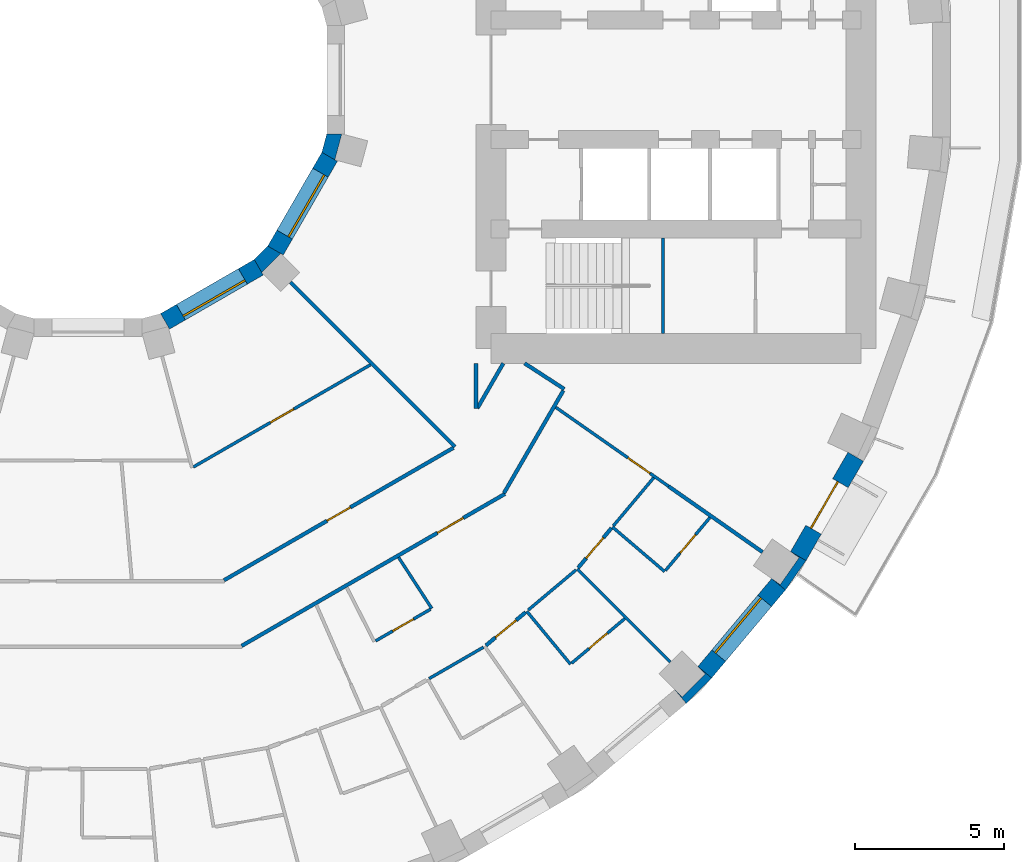
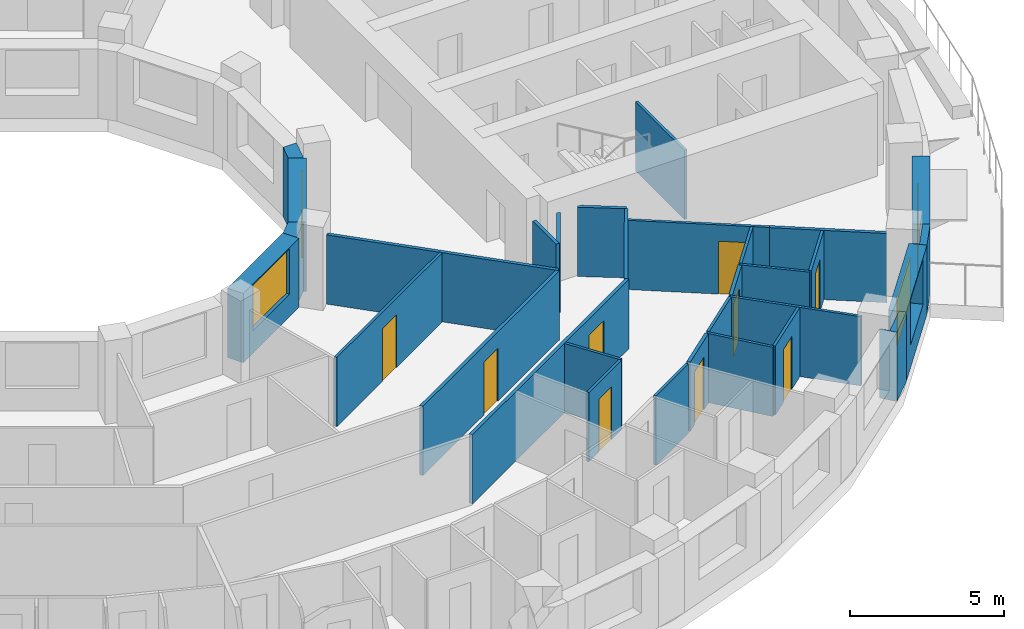
# One storey, part 6 of 14: 31 walls, 10 doors, 3 windows, 13 openings.
"""IFC4 building model written with IfcOpenShell, lengths in metres."""

from ifc_helpers import new_model, si_unit, direction, frame, frame_2d, origin, place, context, subcontext, project, spatial, polyline, rectangle, outline, extrude, material, layer, layer_set, type_object, element, fill, save


model = new_model("IFC4")

# Units and contexts
model_context = context("Model", 3, precision=1e-05, world=origin(), true_north=direction((0.0, 1.0)))
body_context = subcontext(model_context, "Body", "Model", "MODEL_VIEW")
ifc_project = project(units=[si_unit("LENGTHUNIT", "METRE"), si_unit("AREAUNIT", "SQUARE_METRE"), si_unit("VOLUMEUNIT", "CUBIC_METRE"), si_unit("PLANEANGLEUNIT", "RADIAN"), si_unit("MASSUNIT", "GRAM", prefix="KILO")], contexts=[model_context])

# Site, building, storey
site_placement = place(None, origin())
site = spatial("IfcSite", under=ifc_project, at=site_placement, CompositionType="ELEMENT")
building_placement = place(site_placement, origin())
building = spatial("IfcBuilding", under=site, at=building_placement, Name="Saqina Gate Tower", CompositionType="ELEMENT")
storey_placement = place(building_placement, frame((0.0, 0.0, 49.39990234375)))
storey = spatial("IfcBuildingStorey", under=building, at=storey_placement, Name="L13", CompositionType="ELEMENT", Elevation=49.39990234375)

# Walls
ifc_material_1 = material(Name="Brick masonry (red)", Category="masonry")
wall_type_1 = type_object("IfcWallType", Name="BRICK PIER COPING RED", PredefinedType="SOLIDWALL", material=ifc_material_1)
wall_1_placement = place(storey_placement, origin())
element("IfcWall", 1, at=wall_1_placement, inside=storey, type_object=wall_type_1, Name="Pier cap L13 column 32", PredefinedType="SOLIDWALL", context=body_context, shape_type="SweptSolid", body=[
    extrude(outline(polyline([(20.894775390625, -20.04296875), (20.43505859375, -19.6572265625), (20.682861328125, -19.905029296875), (19.905029296875, -20.682861328125), (19.6572265625, -20.43505859375), (20.04296875, -20.894775390625), (20.894775390625, -20.04296875)])), origin(), (0.0, 0.0, 1.0), 2.75),
])
wall_2_placement = place(storey_placement, origin())
element("IfcWall", 2, at=wall_2_placement, inside=storey, type_object=wall_type_1, Name="Pier cap L13 column 33", PredefinedType="SOLIDWALL", context=body_context, shape_type="SweptSolid", body=[
    extrude(outline(polyline([(23.36669921875, -17.096923828125), (24.0576171875, -16.110107421875), (23.5380859375, -15.81005859375), (23.8251953125, -16.010986328125), (23.194091796875, -16.912109375), (22.9072265625, -16.711181640625), (23.36669921875, -17.096923828125)])), origin(), (0.0, 0.0, 1.0), 2.75),
])

# Wall, opening, window
ifc_material_2 = material(Name="Brick masonry (red)", Category="masonry")
ifc_layer_1 = layer(ifc_material_2, 0.60009765625)
ifc_layer_set_1 = layer_set([ifc_layer_1], Name="FW-BRICK-RED")
wall_type_2 = type_object("IfcWallType", Name="FW-BRICK-RED", PredefinedType="SOLIDWALL", material=ifc_layer_set_1)
wall_3_placement = place(storey_placement, frame((20.664794921875, -19.85009765625, 0.0), z_axis=(0.0, 0.0, 1.0), x_axis=(0.642809392687, 0.766026164483, 0.0)))
wall_3 = element("IfcWall", 3, at=wall_3_placement, inside=storey, type_object=wall_type_2, Name="Facade wall L13 facet 32", PredefinedType="SOLIDWALL", context=body_context, shape_type="SweptSolid", body=[
    extrude(rectangle(XDim=3.845947265625, YDim=0.60009765625, at=frame_2d((1.9228515625, 0.0))), origin(), (0.0, 0.0, 1.0), 2.75),
])
opening_1_placement = place(wall_3_placement, frame((0.722900390625, 0.0, 0.89990234375)))
opening_1 = element("IfcOpeningElement", 4, at=opening_1_placement, cuts=wall_3, Name="Opening G03-W25", PredefinedType="OPENING", context=body_context, shape_type="SweptSolid", body=[
    extrude(rectangle(XDim=2.39990234375, YDim=1.800048828125, at=frame_2d((1.199951171875, 0.89990234375))), frame((0.0, 0.31201171875, 0.0), z_axis=(0.0, -1.0, 0.0), x_axis=(1.0, 0.0, 0.0)), (0.0, 0.0, 1.0), 0.6240234375),
])
ifc_material_3 = material(Name="Aluminium glazing", Category="aluminium")
window_type_1 = type_object("IfcWindowType", Name="WN-A", PartitioningType="SINGLE_PANEL", PredefinedType="WINDOW", material=ifc_material_3)
window_1_placement = place(opening_1_placement, origin())
window_1 = element("IfcWindow", 5, at=window_1_placement, inside=storey, type_object=window_type_1, Name="Window L13 facet 32", OverallHeight=1.800048828125, OverallWidth=2.39990234375, PartitioningType="SINGLE_PANEL", PredefinedType="WINDOW", context=body_context, shape_type="SweptSolid", body=[
    extrude(rectangle(XDim=2.39990234375, YDim=1.800048828125, at=frame_2d((1.199951171875, 0.89990234375))), frame((0.0, 0.179931640625, 0.0), z_axis=(0.0, -1.0, 0.0), x_axis=(1.0, 0.0, 0.0)), (0.0, 0.0, 1.0), 0.06005859375),
])
fill(opening_1, window_1)

# Wall, opening, door
wall_4_placement = place(storey_placement, frame((23.7978515625, -15.960205078125, 0.0), z_axis=(0.0, 0.0, 1.0), x_axis=(0.499989888488, 0.86603124159, 0.0)))
wall_4 = element("IfcWall", 6, at=wall_4_placement, inside=storey, type_object=wall_type_2, Name="Facade wall L13 facet 33", PredefinedType="SOLIDWALL", context=body_context, shape_type="SweptSolid", body=[
    extrude(rectangle(XDim=3.845703125, YDim=0.60009765625, at=frame_2d((1.9228515625, 0.0))), origin(), (0.0, 0.0, 1.0), 2.75),
])
opening_2_placement = place(wall_4_placement, frame((1.02294921875, 0.0, 0.0)))
opening_2 = element("IfcOpeningElement", 7, at=opening_2_placement, cuts=wall_4, Name="Opening G03-D80", PredefinedType="OPENING", context=body_context, shape_type="SweptSolid", body=[
    extrude(rectangle(XDim=1.800048828125, YDim=2.39990234375, at=frame_2d((0.89990234375, 1.199951171875))), frame((0.0, 0.31201171875, 0.0), z_axis=(0.0, -1.0, 0.0), x_axis=(1.0, 0.0, 0.0)), (0.0, 0.0, 1.0), 0.6240234375),
])
ifc_material_4 = material(Name="Aluminium glazing", Category="aluminium")
door_type_1 = type_object("IfcDoorType", Name="GD-A", OperationType="DOUBLE_DOOR_SINGLE_SWING", PredefinedType="DOOR", material=ifc_material_4)
door_1_placement = place(opening_2_placement, frame((1.800048828125, 0.0, 0.0), z_axis=(0.0, 0.0, 1.0), x_axis=(-1.0, 0.0, 0.0)))
door_1 = element("IfcDoor", 8, at=door_1_placement, inside=storey, type_object=door_type_1, Name="Terrace door L13 facet 33", OperationType="DOUBLE_DOOR_SINGLE_SWING", OverallHeight=2.39990234375, OverallWidth=1.800048828125, PredefinedType="DOOR", context=body_context, shape_type="SweptSolid", body=[
    extrude(rectangle(XDim=1.800048828125, YDim=2.39990234375, at=frame_2d((0.89990234375, 1.199951171875))), frame((0.0, -0.0751953125, 0.0), z_axis=(0.0, -1.0, 0.0), x_axis=(1.0, 0.0, 0.0)), (0.0, 0.0, 1.0), 0.050048828125),
])
fill(opening_2, door_1)

# Wall, opening, window
ifc_material_5 = material(Name="Glazed ceramic tile", Category="ceramic")
ifc_layer_2 = layer(ifc_material_5, 0.60009765625)
ifc_layer_set_2 = layer_set([ifc_layer_2], Name="IW-TILE")
wall_type_3 = type_object("IfcWallType", Name="IW-TILE", PredefinedType="SOLIDWALL", material=ifc_layer_set_2)
wall_5_placement = place(storey_placement, frame((2.580322265625, -8.09423828125, 0.0), z_axis=(0.0, 0.0, 1.0), x_axis=(0.866029693906, 0.499992569217, 0.0)))
wall_5 = element("IfcWall", 9, at=wall_5_placement, inside=storey, type_object=wall_type_3, Name="Well wall L13 facet 10", PredefinedType="SOLIDWALL", context=body_context, shape_type="SweptSolid", body=[
    extrude(rectangle(XDim=3.625, YDim=0.60009765625, at=frame_2d((1.8125, 0.0))), origin(), (0.0, 0.0, 1.0), 2.75),
])
opening_3_placement = place(wall_5_placement, frame((0.612548828125, 0.0, 0.89990234375)))
opening_3 = element("IfcOpeningElement", 10, at=opening_3_placement, cuts=wall_5, Name="Opening G03-W35", PredefinedType="OPENING", context=body_context, shape_type="SweptSolid", body=[
    extrude(rectangle(XDim=2.39990234375, YDim=1.800048828125, at=frame_2d((1.199951171875, 0.89990234375))), frame((0.0, 0.31201171875, 0.0), z_axis=(0.0, -1.0, 0.0), x_axis=(1.0, 0.0, 0.0)), (0.0, 0.0, 1.0), 0.6240234375),
])
ifc_material_6 = material(Name="Aluminium glazing", Category="aluminium")
window_type_2 = type_object("IfcWindowType", Name="WN-W", PartitioningType="SINGLE_PANEL", PredefinedType="WINDOW", material=ifc_material_6)
window_2_placement = place(opening_3_placement, origin())
window_2 = element("IfcWindow", 11, at=window_2_placement, inside=storey, type_object=window_type_2, Name="Well window L13 facet 10", OverallHeight=1.800048828125, OverallWidth=2.39990234375, PartitioningType="SINGLE_PANEL", PredefinedType="WINDOW", context=body_context, shape_type="SweptSolid", body=[
    extrude(rectangle(XDim=2.39990234375, YDim=1.800048828125, at=frame_2d((1.199951171875, 0.89990234375))), frame((0.0, -0.119873046875, 0.0), z_axis=(0.0, -1.0, 0.0), x_axis=(1.0, 0.0, 0.0)), (0.0, 0.0, 1.0), 0.06005859375),
])
fill(opening_3, window_2)

wall_6_placement = place(storey_placement, frame((6.28173828125, -5.7197265625, 0.0), z_axis=(0.0, 0.0, 1.0), x_axis=(0.499992569217, 0.866029693906, 0.0)))
wall_6 = element("IfcWall", 12, at=wall_6_placement, inside=storey, type_object=wall_type_3, Name="Well wall L13 facet 11", PredefinedType="SOLIDWALL", context=body_context, shape_type="SweptSolid", body=[
    extrude(rectangle(XDim=3.625, YDim=0.60009765625, at=frame_2d((1.8125, 0.0))), origin(), (0.0, 0.0, 1.0), 2.75),
])
opening_4_placement = place(wall_6_placement, frame((0.612548828125, 0.0, 0.89990234375)))
opening_4 = element("IfcOpeningElement", 13, at=opening_4_placement, cuts=wall_6, Name="Opening G03-W36", PredefinedType="OPENING", context=body_context, shape_type="SweptSolid", body=[
    extrude(rectangle(XDim=2.39990234375, YDim=1.800048828125, at=frame_2d((1.199951171875, 0.89990234375))), frame((0.0, 0.31201171875, 0.0), z_axis=(0.0, -1.0, 0.0), x_axis=(1.0, 0.0, 0.0)), (0.0, 0.0, 1.0), 0.6240234375),
])
window_3_placement = place(opening_4_placement, origin())
window_3 = element("IfcWindow", 14, at=window_3_placement, inside=storey, type_object=window_type_2, Name="Well window L13 facet 11", OverallHeight=1.800048828125, OverallWidth=2.39990234375, PartitioningType="SINGLE_PANEL", PredefinedType="WINDOW", context=body_context, shape_type="SweptSolid", body=[
    extrude(rectangle(XDim=2.39990234375, YDim=1.800048828125, at=frame_2d((1.199951171875, 0.89990234375))), frame((0.0, -0.119873046875, 0.0), z_axis=(0.0, -1.0, 0.0), x_axis=(1.0, 0.0, 0.0)), (0.0, 0.0, 1.0), 0.06005859375),
])
fill(opening_4, window_3)

# Walls
ifc_material_7 = material(Name="Gypsum board on steel studs, 100 mm", Category="steel")
ifc_layer_3 = layer(ifc_material_7, 0.10009765625)
ifc_layer_set_3 = layer_set([ifc_layer_3], Name="PARTITION 100")
wall_type_4 = type_object("IfcWallType", Name="PARTITION 100", PredefinedType="PARTITIONING", material=ifc_layer_set_3)
wall_7_placement = place(storey_placement, frame((10.406005859375, -16.00341796875, 0.0), z_axis=(0.0, 0.0, 1.0), x_axis=(0.545026202076, -0.838419011623, 0.0)))
element("IfcWall", 15, at=wall_7_placement, inside=storey, type_object=wall_type_4, Name="PARTITION PW3-23", PredefinedType="PARTITIONING", context=body_context, shape_type="SweptSolid", body=[
    extrude(rectangle(XDim=2.040283203125, YDim=0.10009765625, at=frame_2d((1.02001953125, 0.0))), origin(), (0.0, 0.0, 1.0), 2.75),
])
wall_8_placement = place(storey_placement, frame((14.699951171875, -17.806884765625, 0.0), z_axis=(0.0, 0.0, 1.0), x_axis=(0.636700344293, -0.771111322428, 0.0)))
element("IfcWall", 16, at=wall_8_placement, inside=storey, type_object=wall_type_4, Name="PARTITION PW3-27", PredefinedType="PARTITIONING", context=body_context, shape_type="SweptSolid", body=[
    extrude(rectangle(XDim=2.299560546875, YDim=0.10009765625, at=frame_2d((1.14990234375, 0.0))), origin(), (0.0, 0.0, 1.0), 2.75),
])
wall_9_placement = place(storey_placement, frame((16.388916015625, -16.388916015625, 0.0), z_axis=(0.0, 0.0, 1.0), x_axis=(0.707106781187, -0.707106781187, 0.0)))
element("IfcWall", 17, at=wall_9_placement, inside=storey, type_object=wall_type_4, Name="PARTITION PW3-34", PredefinedType="PARTITIONING", context=body_context, shape_type="SweptSolid", body=[
    extrude(rectangle(XDim=4.41259765625, YDim=0.10009765625, at=frame_2d((2.206298828125, 0.0))), origin(), (0.0, 0.0, 1.0), 2.75),
])
wall_10_placement = place(storey_placement, frame((17.569091796875, -14.98291015625, 0.0), z_axis=(0.0, 0.0, 1.0), x_axis=(0.760722977127, -0.649076691979, 0.0)))
element("IfcWall", 18, at=wall_10_placement, inside=storey, type_object=wall_type_4, Name="PARTITION PW3-37", PredefinedType="PARTITIONING", context=body_context, shape_type="SweptSolid", body=[
    extrude(rectangle(XDim=2.300537109375, YDim=0.10009765625, at=frame_2d((1.150390625, 0.0))), origin(), (0.0, 0.0, 1.0), 2.75),
])

# Wall, opening, door
wall_11_placement = place(storey_placement, frame((15.674560546875, -10.9755859375, 0.0), z_axis=(0.0, 0.0, 1.0), x_axis=(0.819202093006, -0.573504952737, 0.0)))
wall_11 = element("IfcWall", 19, at=wall_11_placement, inside=storey, type_object=wall_type_4, Name="PARTITION PW3-42", PredefinedType="PARTITIONING", context=body_context, shape_type="SweptSolid", body=[
    extrude(rectangle(XDim=4.614501953125, YDim=0.10009765625, at=frame_2d((2.30712890625, 0.0))), origin(), (0.0, 0.0, 1.0), 2.75),
])
opening_5_placement = place(wall_11_placement, frame((2.94921875, 0.0, 0.0)))
opening_5 = element("IfcOpeningElement", 20, at=opening_5_placement, cuts=wall_11, Name="Opening G03-D75", PredefinedType="OPENING", context=body_context, shape_type="SweptSolid", body=[
    extrude(rectangle(XDim=0.89990234375, YDim=2.10009765625, at=frame_2d((0.449951171875, 1.050048828125))), frame((0.0, 0.06201171875, 0.0), z_axis=(0.0, -1.0, 0.0), x_axis=(1.0, 0.0, 0.0)), (0.0, 0.0, 1.0), 0.1240234375),
])
ifc_material_8 = material(Name="Timber door leaf, 900 mm", Category="wood")
door_type_2 = type_object("IfcDoorType", Name="DOOR 900 TIMBER", OperationType="SINGLE_SWING_LEFT", PredefinedType="DOOR", material=ifc_material_8)
door_2_placement = place(opening_5_placement, origin())
door_2 = element("IfcDoor", 21, at=door_2_placement, inside=storey, type_object=door_type_2, Name="DOOR G03-D75", OperationType="SINGLE_SWING_RIGHT", OverallHeight=2.10009765625, OverallWidth=0.89990234375, PredefinedType="DOOR", context=body_context, shape_type="SweptSolid", body=[
    extrude(rectangle(XDim=0.89990234375, YDim=2.10009765625, at=frame_2d((0.449951171875, 1.050048828125))), frame((0.0, 0.02490234375, 0.0), z_axis=(0.0, -1.0, 0.0), x_axis=(1.0, 0.0, 0.0)), (0.0, 0.0, 1.0), 0.050048828125),
])
fill(opening_5, door_2)

# Wall
wall_12_placement = place(storey_placement, frame((11.42822265625, -20.06396484375, 0.0), z_axis=(0.0, 0.0, 1.0), x_axis=(0.865870655861, 0.50026793553, 0.0)))
element("IfcWall", 22, at=wall_12_placement, inside=storey, type_object=wall_type_4, Name="PARTITION PW3-80", PredefinedType="PARTITIONING", context=body_context, shape_type="SweptSolid", body=[
    extrude(rectangle(XDim=2.104736328125, YDim=0.10009765625, at=frame_2d((1.05224609375, 0.0))), origin(), (0.0, 0.0, 1.0), 2.75),
])

# Wall, opening, door
wall_13_placement = place(storey_placement, frame((9.63525390625, -18.801025390625, 0.0), z_axis=(0.0, 0.0, 1.0), x_axis=(0.866013304951, 0.500020955208, 0.0)))
wall_13 = element("IfcWall", 23, at=wall_13_placement, inside=storey, type_object=wall_type_4, Name="PARTITION PW3-81", PredefinedType="PARTITIONING", context=body_context, shape_type="SweptSolid", body=[
    extrude(rectangle(XDim=2.1240234375, YDim=0.10009765625, at=frame_2d((1.06201171875, 0.0))), origin(), (0.0, 0.0, 1.0), 2.75),
])
opening_6_placement = place(wall_13_placement, frame((0.662109375, 0.0, 0.0)))
opening_6 = element("IfcOpeningElement", 24, at=opening_6_placement, cuts=wall_13, Name="Opening G03-D68", PredefinedType="OPENING", context=body_context, shape_type="SweptSolid", body=[
    extrude(rectangle(XDim=0.800048828125, YDim=2.10009765625, at=frame_2d((0.39990234375, 1.050048828125))), frame((0.0, 0.06201171875, 0.0), z_axis=(0.0, -1.0, 0.0), x_axis=(1.0, 0.0, 0.0)), (0.0, 0.0, 1.0), 0.1240234375),
])
ifc_material_9 = material(Name="Timber door leaf, 800 mm", Category="wood")
door_type_3 = type_object("IfcDoorType", Name="DOOR 800 TIMBER", OperationType="SINGLE_SWING_LEFT", PredefinedType="DOOR", material=ifc_material_9)
door_3_placement = place(opening_6_placement, frame((0.800048828125, 0.0, 0.0), z_axis=(0.0, 0.0, 1.0), x_axis=(-1.0, 0.0, 0.0)))
door_3 = element("IfcDoor", 25, at=door_3_placement, inside=storey, type_object=door_type_3, Name="DOOR G03-D68", OperationType="SINGLE_SWING_LEFT", OverallHeight=2.10009765625, OverallWidth=0.800048828125, PredefinedType="DOOR", context=body_context, shape_type="SweptSolid", body=[
    extrude(rectangle(XDim=0.800048828125, YDim=2.10009765625, at=frame_2d((0.39990234375, 1.050048828125))), frame((0.0, 0.02490234375, 0.0), z_axis=(0.0, -1.0, 0.0), x_axis=(1.0, 0.0, 0.0)), (0.0, 0.0, 1.0), 0.050048828125),
])
fill(opening_6, door_3)

wall_14_placement = place(storey_placement, frame((3.5263671875, -12.97509765625, 0.0), z_axis=(0.0, 0.0, 1.0), x_axis=(0.866069342035, 0.499923888995, 0.0)))
wall_14 = element("IfcWall", 26, at=wall_14_placement, inside=storey, type_object=wall_type_4, Name="PARTITION PW3-82", PredefinedType="PARTITIONING", context=body_context, shape_type="SweptSolid", body=[
    extrude(rectangle(XDim=6.8544921875, YDim=0.10009765625, at=frame_2d((3.42724609375, 0.0))), origin(), (0.0, 0.0, 1.0), 2.75),
])
opening_7_placement = place(wall_14_placement, frame((2.9833984375, 0.0, 0.0)))
opening_7 = element("IfcOpeningElement", 27, at=opening_7_placement, cuts=wall_14, Name="Opening G03-D66", PredefinedType="OPENING", context=body_context, shape_type="SweptSolid", body=[
    extrude(rectangle(XDim=0.89990234375, YDim=2.10009765625, at=frame_2d((0.449951171875, 1.050048828125))), frame((0.0, 0.06201171875, 0.0), z_axis=(0.0, -1.0, 0.0), x_axis=(1.0, 0.0, 0.0)), (0.0, 0.0, 1.0), 0.1240234375),
])
door_4_placement = place(opening_7_placement, frame((0.89990234375, 0.0, 0.0), z_axis=(0.0, 0.0, 1.0), x_axis=(-1.0, 0.0, 0.0)))
door_4 = element("IfcDoor", 28, at=door_4_placement, inside=storey, type_object=door_type_2, Name="DOOR G03-D66", OperationType="SINGLE_SWING_LEFT", OverallHeight=2.10009765625, OverallWidth=0.89990234375, PredefinedType="DOOR", context=body_context, shape_type="SweptSolid", body=[
    extrude(rectangle(XDim=0.89990234375, YDim=2.10009765625, at=frame_2d((0.449951171875, 1.050048828125))), frame((0.0, 0.02490234375, 0.0), z_axis=(0.0, -1.0, 0.0), x_axis=(1.0, 0.0, 0.0)), (0.0, 0.0, 1.0), 0.050048828125),
])
fill(opening_7, door_4)

wall_15_placement = place(storey_placement, frame((16.202392578125, -19.5478515625, 0.0), z_axis=(0.0, 0.0, 1.0), x_axis=(0.766254925891, 0.642536682648, 0.0)))
wall_15 = element("IfcWall", 29, at=wall_15_placement, inside=storey, type_object=wall_type_4, Name="PARTITION PW3-92", PredefinedType="PARTITIONING", context=body_context, shape_type="SweptSolid", body=[
    extrude(rectangle(XDim=2.32470703125, YDim=0.10009765625, at=frame_2d((1.162353515625, 0.0))), origin(), (0.0, 0.0, 1.0), 2.75),
])
opening_8_placement = place(wall_15_placement, frame((0.762451171875, 0.0, 0.0)))
opening_8 = element("IfcOpeningElement", 30, at=opening_8_placement, cuts=wall_15, Name="Opening G03-D72", PredefinedType="OPENING", context=body_context, shape_type="SweptSolid", body=[
    extrude(rectangle(XDim=0.800048828125, YDim=2.10009765625, at=frame_2d((0.39990234375, 1.050048828125))), frame((0.0, 0.06201171875, 0.0), z_axis=(0.0, -1.0, 0.0), x_axis=(1.0, 0.0, 0.0)), (0.0, 0.0, 1.0), 0.1240234375),
])
door_5_placement = place(opening_8_placement, frame((0.800048828125, 0.0, 0.0), z_axis=(0.0, 0.0, 1.0), x_axis=(-1.0, 0.0, 0.0)))
door_5 = element("IfcDoor", 31, at=door_5_placement, inside=storey, type_object=door_type_3, Name="DOOR G03-D72", OperationType="SINGLE_SWING_LEFT", OverallHeight=2.10009765625, OverallWidth=0.800048828125, PredefinedType="DOOR", context=body_context, shape_type="SweptSolid", body=[
    extrude(rectangle(XDim=0.800048828125, YDim=2.10009765625, at=frame_2d((0.39990234375, 1.050048828125))), frame((0.0, 0.02490234375, 0.0), z_axis=(0.0, -1.0, 0.0), x_axis=(1.0, 0.0, 0.0)), (0.0, 0.0, 1.0), 0.050048828125),
])
fill(opening_8, door_5)

# Wall
wall_16_placement = place(storey_placement, frame((14.747802734375, -17.766845703125, 0.0), z_axis=(0.0, 0.0, 1.0), x_axis=(0.765854222204, 0.643014238048, 0.0)))
element("IfcWall", 32, at=wall_16_placement, inside=storey, type_object=wall_type_4, Name="PARTITION PW3-93", PredefinedType="PARTITIONING", context=body_context, shape_type="SweptSolid", body=[
    extrude(rectangle(XDim=2.0927734375, YDim=0.10009765625, at=frame_2d((1.04638671875, 0.0))), origin(), (0.0, 0.0, 1.0), 2.75),
])

# Wall, opening, door
wall_17_placement = place(storey_placement, frame((19.35107421875, -16.437744140625, 0.0), z_axis=(0.0, 0.0, 1.0), x_axis=(0.642780417595, 0.766050477943, 0.0)))
wall_17 = element("IfcWall", 33, at=wall_17_placement, inside=storey, type_object=wall_type_4, Name="PARTITION PW3-101", PredefinedType="PARTITIONING", context=body_context, shape_type="SweptSolid", body=[
    extrude(rectangle(XDim=2.309326171875, YDim=0.10009765625, at=frame_2d((1.15478515625, 0.0))), origin(), (0.0, 0.0, 1.0), 2.75),
])
opening_9_placement = place(wall_17_placement, frame((0.761962890625, 0.0, 0.0)))
opening_9 = element("IfcOpeningElement", 34, at=opening_9_placement, cuts=wall_17, Name="Opening G03-D74", PredefinedType="OPENING", context=body_context, shape_type="SweptSolid", body=[
    extrude(rectangle(XDim=0.800048828125, YDim=2.10009765625, at=frame_2d((0.39990234375, 1.050048828125))), frame((0.0, 0.06201171875, 0.0), z_axis=(0.0, -1.0, 0.0), x_axis=(1.0, 0.0, 0.0)), (0.0, 0.0, 1.0), 0.1240234375),
])
door_6_placement = place(opening_9_placement, frame((0.800048828125, 0.0, 0.0), z_axis=(0.0, 0.0, 1.0), x_axis=(-1.0, 0.0, 0.0)))
door_6 = element("IfcDoor", 35, at=door_6_placement, inside=storey, type_object=door_type_3, Name="DOOR G03-D74", OperationType="SINGLE_SWING_LEFT", OverallHeight=2.10009765625, OverallWidth=0.800048828125, PredefinedType="DOOR", context=body_context, shape_type="SweptSolid", body=[
    extrude(rectangle(XDim=0.800048828125, YDim=2.10009765625, at=frame_2d((0.39990234375, 1.050048828125))), frame((0.0, 0.02490234375, 0.0), z_axis=(0.0, -1.0, 0.0), x_axis=(1.0, 0.0, 0.0)), (0.0, 0.0, 1.0), 0.050048828125),
])
fill(opening_9, door_6)

# Walls
wall_18_placement = place(storey_placement, frame((17.60107421875, -14.944580078125, 0.0), z_axis=(0.0, 0.0, 1.0), x_axis=(0.642816551594, 0.766020157043, 0.0)))
element("IfcWall", 36, at=wall_18_placement, inside=storey, type_object=wall_type_4, Name="PARTITION PW3-102", PredefinedType="PARTITIONING", context=body_context, shape_type="SweptSolid", body=[
    extrude(rectangle(XDim=2.1044921875, YDim=0.10009765625, at=frame_2d((1.05224609375, 0.0))), origin(), (0.0, 0.0, 1.0), 2.75),
])
ifc_material_10 = material(Name="Gypsum board on steel studs, 125 mm, fire rated", Category="steel")
ifc_layer_4 = layer(ifc_material_10, 0.125)
ifc_layer_set_4 = layer_set([ifc_layer_4], Name="PARTITION EI 30 125")
wall_type_5 = type_object("IfcWallType", Name="PARTITION EI 30 125", PredefinedType="PARTITIONING", material=ifc_layer_set_4)
wall_19_placement = place(storey_placement, frame((6.78271484375, -6.78271484375, 0.0), z_axis=(0.0, 0.0, 1.0), x_axis=(0.707106781187, -0.707106781187, 0.0)))
element("IfcWall", 37, at=wall_19_placement, inside=storey, type_object=wall_type_5, Name="PARTITION PW1-07", PredefinedType="PARTITIONING", context=body_context, shape_type="SweptSolid", body=[
    extrude(rectangle(XDim=7.7998046875, YDim=0.125, at=frame_2d((3.89990234375, 0.0))), origin(), (0.0, 0.0, 1.0), 2.75),
])
wall_20_placement = place(storey_placement, frame((19.4541015625, -13.623291015625, 0.0), z_axis=(0.0, 0.0, 1.0), x_axis=(0.819318529686, -0.573338597091, 0.0)))
element("IfcWall", 38, at=wall_20_placement, inside=storey, type_object=wall_type_5, Name="PARTITION PW1-09", PredefinedType="PARTITIONING", context=body_context, shape_type="SweptSolid", body=[
    extrude(rectangle(XDim=3.840087890625, YDim=0.125, at=frame_2d((1.919921875, 0.0))), origin(), (0.0, 0.0, 1.0), 2.75),
])
wall_21_placement = place(storey_placement, frame((14.62890625, -9.5, 0.0), z_axis=(0.0, 0.0, 1.0), x_axis=(0.838795721465, -0.544446267002, 0.0)))
element("IfcWall", 39, at=wall_21_placement, inside=storey, type_object=wall_type_5, Name="PARTITION PW1-11", PredefinedType="PARTITIONING", context=body_context, shape_type="SweptSolid", body=[
    extrude(rectangle(XDim=1.583251953125, YDim=0.125, at=frame_2d((0.79150390625, 0.0))), origin(), (0.0, 0.0, 1.0), 2.75),
])

# Wall, opening, door
wall_22_placement = place(storey_placement, frame((5.14501953125, -18.96875, 0.0), z_axis=(0.0, 0.0, 1.0), x_axis=(0.866035198373, 0.499983034892, 0.0)))
wall_22 = element("IfcWall", 40, at=wall_22_placement, inside=storey, type_object=wall_type_5, Name="PARTITION PW1-36", PredefinedType="PARTITIONING", context=body_context, shape_type="SweptSolid", body=[
    extrude(rectangle(XDim=10.191650390625, YDim=0.125, at=frame_2d((5.095703125, 0.0))), origin(), (0.0, 0.0, 1.0), 2.75),
])
opening_10_placement = place(wall_22_placement, frame((7.577392578125, 0.0, 0.0)))
opening_10 = element("IfcOpeningElement", 41, at=opening_10_placement, cuts=wall_22, Name="Opening G03-D71", PredefinedType="OPENING", context=body_context, shape_type="SweptSolid", body=[
    extrude(rectangle(XDim=1.0, YDim=2.10009765625, at=frame_2d((0.5, 1.050048828125))), frame((0.0, 0.074462890625, 0.0), z_axis=(0.0, -1.0, 0.0), x_axis=(1.0, 0.0, 0.0)), (0.0, 0.0, 1.0), 0.14892578125),
])
ifc_material_11 = material(Name="Fire door leaf EI 30, 1000 mm")
door_type_4 = type_object("IfcDoorType", Name="DOOR 1000 EI 30", OperationType="SINGLE_SWING_LEFT", PredefinedType="DOOR", material=ifc_material_11)
door_7_placement = place(opening_10_placement, frame((1.0, 0.0, 0.0), z_axis=(0.0, 0.0, 1.0), x_axis=(-1.0, 0.0, 0.0)))
door_7 = element("IfcDoor", 42, at=door_7_placement, inside=storey, type_object=door_type_4, Name="DOOR G03-D71", OperationType="SINGLE_SWING_LEFT", OverallHeight=2.10009765625, OverallWidth=1.0, PredefinedType="DOOR", context=body_context, shape_type="SweptSolid", body=[
    extrude(rectangle(XDim=1.0, YDim=2.10009765625, at=frame_2d((0.5, 1.050048828125))), frame((0.0, 0.02490234375, 0.0), z_axis=(0.0, -1.0, 0.0), x_axis=(1.0, 0.0, 0.0)), (0.0, 0.0, 1.0), 0.050048828125),
])
fill(opening_10, door_7)

wall_23_placement = place(storey_placement, frame((4.55615234375, -16.768798828125, 0.0), z_axis=(0.0, 0.0, 1.0), x_axis=(0.865979941794, 0.500078734211, 0.0)))
wall_23 = element("IfcWall", 43, at=wall_23_placement, inside=storey, type_object=wall_type_5, Name="PARTITION PW1-37", PredefinedType="PARTITIONING", context=body_context, shape_type="SweptSolid", body=[
    extrude(rectangle(XDim=8.87744140625, YDim=0.125, at=frame_2d((4.438720703125, 0.0))), origin(), (0.0, 0.0, 1.0), 2.75),
])
opening_11_placement = place(wall_23_placement, frame((3.98876953125, 0.0, 0.0)))
opening_11 = element("IfcOpeningElement", 44, at=opening_11_placement, cuts=wall_23, Name="Opening G03-D67", PredefinedType="OPENING", context=body_context, shape_type="SweptSolid", body=[
    extrude(rectangle(XDim=0.89990234375, YDim=2.10009765625, at=frame_2d((0.449951171875, 1.050048828125))), frame((0.0, 0.074462890625, 0.0), z_axis=(0.0, -1.0, 0.0), x_axis=(1.0, 0.0, 0.0)), (0.0, 0.0, 1.0), 0.14892578125),
])
ifc_material_12 = material(Name="Fire door leaf EI 30, 900 mm")
door_type_5 = type_object("IfcDoorType", Name="DOOR 900 EI 30", OperationType="SINGLE_SWING_LEFT", PredefinedType="DOOR", material=ifc_material_12)
door_8_placement = place(opening_11_placement, origin())
door_8 = element("IfcDoor", 45, at=door_8_placement, inside=storey, type_object=door_type_5, Name="DOOR G03-D67", OperationType="SINGLE_SWING_RIGHT", OverallHeight=2.10009765625, OverallWidth=0.89990234375, PredefinedType="DOOR", context=body_context, shape_type="SweptSolid", body=[
    extrude(rectangle(XDim=0.89990234375, YDim=2.10009765625, at=frame_2d((0.449951171875, 1.050048828125))), frame((0.0, 0.02490234375, 0.0), z_axis=(0.0, -1.0, 0.0), x_axis=(1.0, 0.0, 0.0)), (0.0, 0.0, 1.0), 0.050048828125),
])
fill(opening_11, door_8)

wall_24_placement = place(storey_placement, frame((13.331787109375, -18.953369140625, 0.0), z_axis=(0.0, 0.0, 1.0), x_axis=(0.766881682313, 0.641788505143, 0.0)))
wall_24 = element("IfcWall", 46, at=wall_24_placement, inside=storey, type_object=wall_type_5, Name="PARTITION PW1-45", PredefinedType="PARTITIONING", context=body_context, shape_type="SweptSolid", body=[
    extrude(rectangle(XDim=1.735107421875, YDim=0.125, at=frame_2d((0.86767578125, 0.0))), origin(), (0.0, 0.0, 1.0), 2.75),
])
opening_12_placement = place(wall_24_placement, frame((0.41748046875, 0.0, 0.0)))
opening_12 = element("IfcOpeningElement", 47, at=opening_12_placement, cuts=wall_24, Name="Opening G03-D70", PredefinedType="OPENING", context=body_context, shape_type="SweptSolid", body=[
    extrude(rectangle(XDim=0.89990234375, YDim=2.10009765625, at=frame_2d((0.449951171875, 1.050048828125))), frame((0.0, 0.074462890625, 0.0), z_axis=(0.0, -1.0, 0.0), x_axis=(1.0, 0.0, 0.0)), (0.0, 0.0, 1.0), 0.14892578125),
])
door_9_placement = place(opening_12_placement, origin())
door_9 = element("IfcDoor", 48, at=door_9_placement, inside=storey, type_object=door_type_5, Name="DOOR G03-D70", OperationType="SINGLE_SWING_LEFT", OverallHeight=2.10009765625, OverallWidth=0.89990234375, PredefinedType="DOOR", context=body_context, shape_type="SweptSolid", body=[
    extrude(rectangle(XDim=0.89990234375, YDim=2.10009765625, at=frame_2d((0.449951171875, 1.050048828125))), frame((0.0, 0.02490234375, 0.0), z_axis=(0.0, -1.0, 0.0), x_axis=(1.0, 0.0, 0.0)), (0.0, 0.0, 1.0), 0.050048828125),
])
fill(opening_12, door_9)

wall_25_placement = place(storey_placement, frame((16.421142578125, -16.3505859375, 0.0), z_axis=(0.0, 0.0, 1.0), x_axis=(0.642878617967, 0.765968068891, 0.0)))
wall_25 = element("IfcWall", 49, at=wall_25_placement, inside=storey, type_object=wall_type_5, Name="PARTITION PW1-49", PredefinedType="PARTITIONING", context=body_context, shape_type="SweptSolid", body=[
    extrude(rectangle(XDim=1.735595703125, YDim=0.125, at=frame_2d((0.86767578125, 0.0))), origin(), (0.0, 0.0, 1.0), 2.75),
])
opening_13_placement = place(wall_25_placement, frame((0.417724609375, 0.0, 0.0)))
opening_13 = element("IfcOpeningElement", 50, at=opening_13_placement, cuts=wall_25, Name="Opening G03-D73", PredefinedType="OPENING", context=body_context, shape_type="SweptSolid", body=[
    extrude(rectangle(XDim=0.89990234375, YDim=2.10009765625, at=frame_2d((0.449951171875, 1.050048828125))), frame((0.0, 0.074462890625, 0.0), z_axis=(0.0, -1.0, 0.0), x_axis=(1.0, 0.0, 0.0)), (0.0, 0.0, 1.0), 0.14892578125),
])
door_10_placement = place(opening_13_placement, origin())
door_10 = element("IfcDoor", 51, at=door_10_placement, inside=storey, type_object=door_type_5, Name="DOOR G03-D73", OperationType="SINGLE_SWING_LEFT", OverallHeight=2.10009765625, OverallWidth=0.89990234375, PredefinedType="DOOR", context=body_context, shape_type="SweptSolid", body=[
    extrude(rectangle(XDim=0.89990234375, YDim=2.10009765625, at=frame_2d((0.449951171875, 1.050048828125))), frame((0.0, 0.02490234375, 0.0), z_axis=(0.0, -1.0, 0.0), x_axis=(1.0, 0.0, 0.0)), (0.0, 0.0, 1.0), 0.050048828125),
])
fill(opening_13, door_10)

# Walls
wall_26_placement = place(storey_placement, frame((13.933837890625, -13.85107421875, 0.0), z_axis=(0.0, 0.0, 1.0), x_axis=(0.501169568558, 0.865349099238, 0.0)))
element("IfcWall", 52, at=wall_26_placement, inside=storey, type_object=wall_type_5, Name="PARTITION PW1-51", PredefinedType="PARTITIONING", context=body_context, shape_type="SweptSolid", body=[
    extrude(rectangle(XDim=3.970703125, YDim=0.125, at=frame_2d((1.9853515625, 0.0))), origin(), (0.0, 0.0, 1.0), 2.75),
])
wall_27_placement = place(storey_placement, frame((13.044921875, -11.005126953125, 0.0), z_axis=(0.0, 0.0, 1.0), x_axis=(0.500066958712, 0.865986741702, 0.0)))
element("IfcWall", 53, at=wall_27_placement, inside=storey, type_object=wall_type_5, Name="PARTITION PW1-52", PredefinedType="PARTITIONING", context=body_context, shape_type="SweptSolid", body=[
    extrude(rectangle(XDim=1.738037109375, YDim=0.125, at=frame_2d((0.869140625, 0.0))), origin(), (0.0, 0.0, 1.0), 2.75),
])
wall_28_placement = place(storey_placement, frame((13.0, -11.0205078125, 0.0), z_axis=(0.0, 0.0, 1.0), x_axis=(0.0, 1.0, 0.0)))
element("IfcWall", 54, at=wall_28_placement, inside=storey, type_object=wall_type_5, Name="PARTITION PW1-56", PredefinedType="PARTITIONING", context=body_context, shape_type="SweptSolid", body=[
    extrude(rectangle(XDim=1.5205078125, YDim=0.125, at=frame_2d((0.76025390625, 0.0))), origin(), (0.0, 0.0, 1.0), 2.75),
])
ifc_material_13 = material(Name="Autoclaved aerated concrete block", Category="concrete")
ifc_layer_5 = layer(ifc_material_13, 0.10009765625)
ifc_layer_set_5 = layer_set([ifc_layer_5], Name="STAIR ENCLOSURE WALL")
wall_type_6 = type_object("IfcWallType", Name="STAIR ENCLOSURE WALL", PredefinedType="PARTITIONING", material=ifc_layer_set_5)
wall_29_placement = place(storey_placement, frame((19.27001953125, -8.5, 0.0), z_axis=(0.0, 0.0, 1.0), x_axis=(0.0, 1.0, 0.0)))
element("IfcWall", 55, at=wall_29_placement, inside=storey, type_object=wall_type_6, Name="L13-CP-E14", PredefinedType="PARTITIONING", context=body_context, shape_type="SweptSolid", body=[
    extrude(rectangle(XDim=3.199951171875, YDim=0.10009765625, at=frame_2d((1.60009765625, 0.0))), origin(), (0.0, 0.0, 1.0), 2.75),
])
ifc_material_14 = material(Name="Glazed ceramic tile", Category="ceramic")
wall_type_7 = type_object("IfcWallType", Name="TILE PIER COPING", PredefinedType="SOLIDWALL", material=ifc_material_14)
wall_30_placement = place(storey_placement, origin())
element("IfcWall", 56, at=wall_30_placement, inside=storey, type_object=wall_type_7, Name="Well pier cap L13 column 11", PredefinedType="SOLIDWALL", context=body_context, shape_type="SweptSolid", body=[
    extrude(outline(polyline([(5.821044921875, -6.45751953125), (6.45751953125, -5.821044921875), (6.02197265625, -5.569580078125), (5.569580078125, -6.02197265625), (5.821044921875, -6.45751953125)])), origin(), (0.0, 0.0, 1.0), 2.75),
])
wall_31_placement = place(storey_placement, origin())
element("IfcWall", 57, at=wall_31_placement, inside=storey, type_object=wall_type_7, Name="Well pier cap L13 column 12", PredefinedType="SOLIDWALL", context=body_context, shape_type="SweptSolid", body=[
    extrude(outline(polyline([(8.502685546875, -1.8125), (8.0, -1.8125), (7.83447265625, -2.430419921875), (8.27001953125, -2.681884765625), (8.502685546875, -1.8125)])), origin(), (0.0, 0.0, 1.0), 2.75),
])

save(model, "model.ifc")
